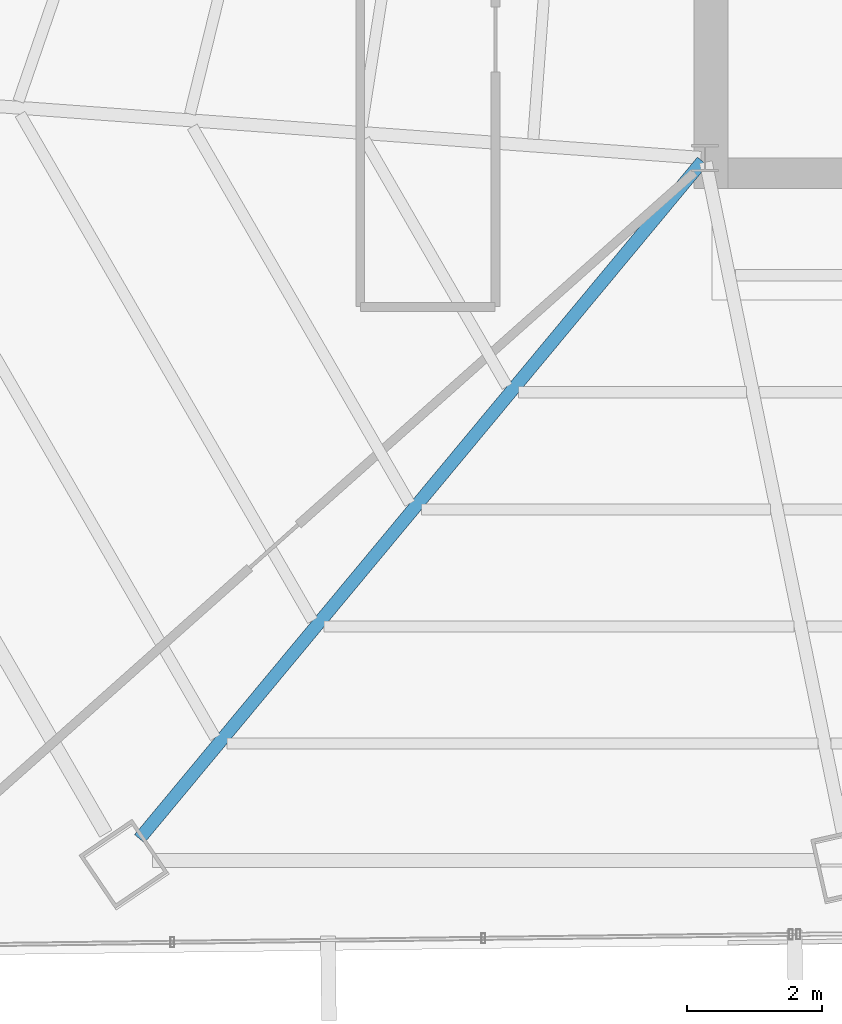
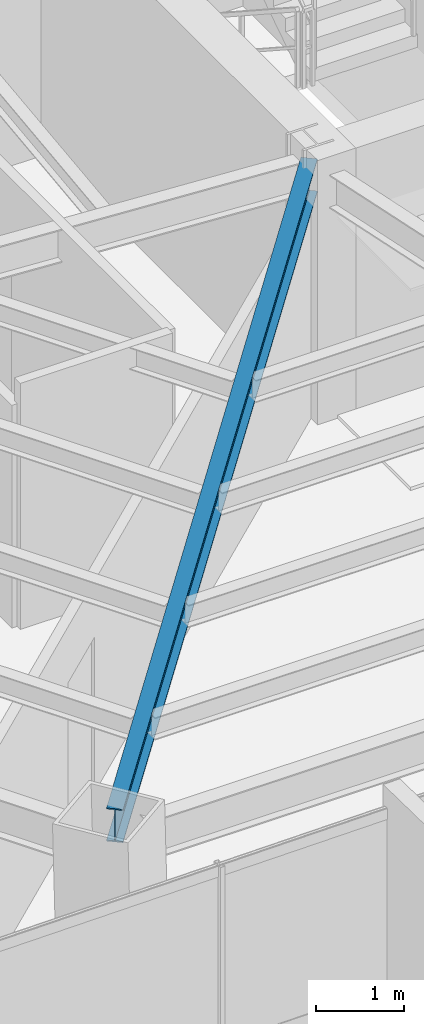
# One storey, part 5 of 41: 1 beam.
"""IFC4 building model written with IfcOpenShell, lengths in metres."""

from ifc_helpers import new_model, si_unit, direction, frame, origin, origin_2d, place, context, subcontext, project, spatial, i_section, extrude, source, transform, mapped, material, material_profile, profile_set, type_object, type_shapes, element, save


model = new_model("IFC4")

# Units and contexts
model_context = context("Model", 3, precision=1e-05, world=origin(), true_north=direction((0.0, 1.0)))
body_context = subcontext(model_context, "Body", "Model", "MODEL_VIEW")
ifc_project = project(units=[si_unit("LENGTHUNIT", "METRE"), si_unit("AREAUNIT", "SQUARE_METRE"), si_unit("VOLUMEUNIT", "CUBIC_METRE"), si_unit("PLANEANGLEUNIT", "RADIAN"), si_unit("MASSUNIT", "GRAM", prefix="KILO")], contexts=[model_context])

# Site, building, storey
site_placement = place(None, origin())
site = spatial("IfcSite", under=ifc_project, at=site_placement, CompositionType="ELEMENT")
building_placement = place(site_placement, origin())
building = spatial("IfcBuilding", under=site, at=building_placement, Name="Caelisora Broadcast Tower", CompositionType="ELEMENT")
storey_placement = place(building_placement, frame((0.0, 0.0, 135.449951171875)))
storey = spatial("IfcBuildingStorey", under=building, at=storey_placement, Name="L35", CompositionType="ELEMENT", Elevation=135.449951171875)

# Beam
ifc_material = material(Name="Steel Grade 350 (AS/NZS 3679.1)", Category="steel")
ifc_material_profile = material_profile(ifc_material, i_section(OverallWidth=0.19091796875, OverallDepth=0.46044921875, WebThickness=0.010009765625, FlangeThickness=0.01611328125, at=origin_2d()), Name="Steel Grade 350 (AS/NZS 3679.1)")
ifc_profile_set = profile_set([ifc_material_profile], Name="Steel Grade 350 (AS/NZS 3679.1)")
beam_type = type_object("IfcBeamType", Name="PG06", PredefinedType="BEAM", material=ifc_profile_set)
shared_shape = source(origin(), body_context, "Body", "SweptSolid", [
    extrude(i_section(OverallWidth=0.19091796875, OverallDepth=0.46044921875, WebThickness=0.010009765625, FlangeThickness=0.01611328125, at=origin_2d()), origin(), (0.0, 0.0, 1.0), 13.0302734375),
])
type_shapes(beam_type, [shared_shape])
beam_placement = place(storey_placement, frame((30.461669921875, 17.35400390625, 3.169921875), z_axis=(-0.639055849194, -0.769160335438, 0.0), x_axis=(0.769160335438, -0.639055849194, 0.0)))
element("IfcBeam", 1, at=beam_placement, inside=storey, type_object=beam_type, Name="L35 beam PG06", PredefinedType="BEAM", context=body_context, shape_type="MappedRepresentation", body=[
    mapped(shared_shape, transform((0.0, 0.0, 0.0), scale=1.0)),
])

save(model, "model.ifc")
